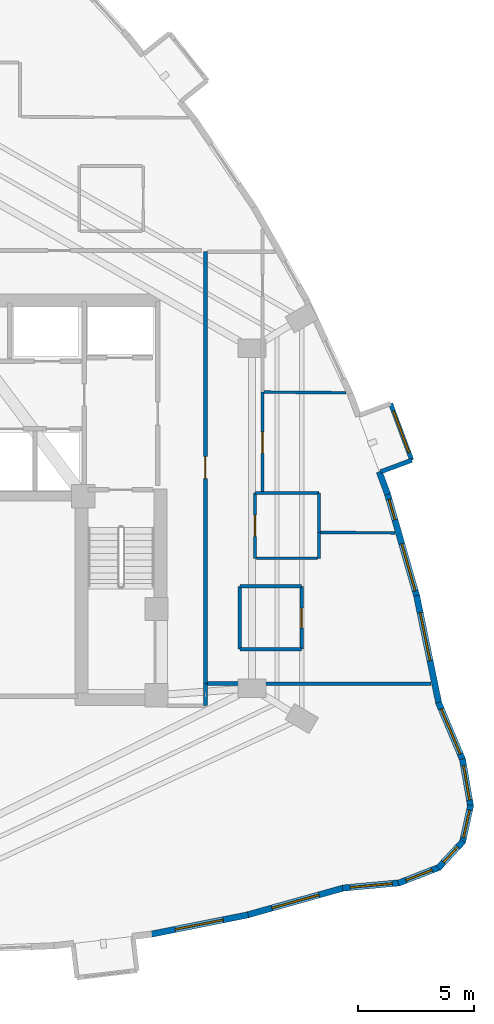
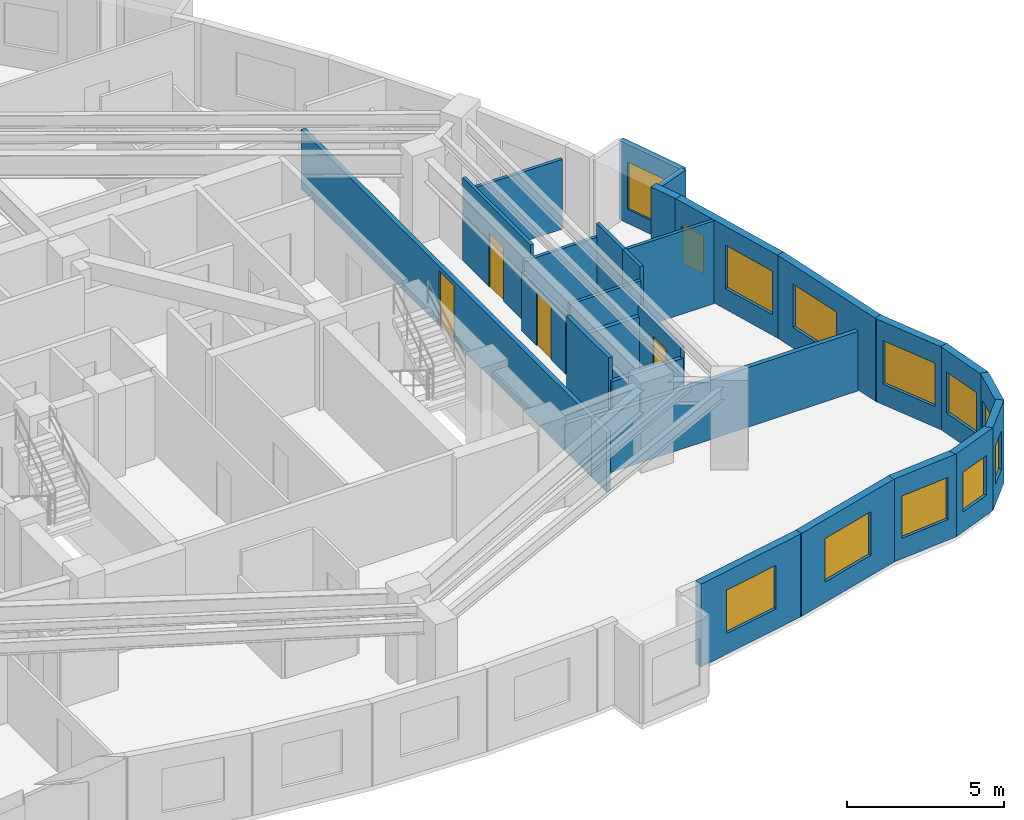
# One storey, part 11 of 14: 28 walls, 12 windows, 4 doors, 16 openings.
"""IFC4 building model written with IfcOpenShell, lengths in metres."""

from ifc_helpers import new_model, si_unit, direction, frame, frame_2d, origin, place, context, subcontext, project, spatial, rectangle, extrude, material, layer, layer_set, type_object, element, fill, save


model = new_model("IFC4")

# Units and contexts
model_context = context("Model", 3, precision=1e-05, world=origin(), true_north=direction((0.0, 1.0)))
body_context = subcontext(model_context, "Body", "Model", "MODEL_VIEW")
ifc_project = project(units=[si_unit("LENGTHUNIT", "METRE"), si_unit("AREAUNIT", "SQUARE_METRE"), si_unit("VOLUMEUNIT", "CUBIC_METRE"), si_unit("PLANEANGLEUNIT", "RADIAN"), si_unit("MASSUNIT", "GRAM", prefix="KILO")], contexts=[model_context])

# Site, building, storey
site_placement = place(None, origin())
site = spatial("IfcSite", under=ifc_project, at=site_placement, CompositionType="ELEMENT")
building_placement = place(site_placement, origin())
building = spatial("IfcBuilding", under=site, at=building_placement, Name="Miruveldt Soraemaru", CompositionType="ELEMENT")
storey_placement = place(building_placement, frame((0.0, 0.0, 117.89990234375)))
storey = spatial("IfcBuildingStorey", under=building, at=storey_placement, Name="L32", CompositionType="ELEMENT", Elevation=117.89990234375)

# Wall
ifc_material_1 = material(Name="White powder-coated aluminium EN AW-6060 T6", Category="aluminium")
ifc_layer_1 = layer(ifc_material_1, 0.18994140625, Name="White powder-coated aluminium EN AW-6060 T6", Category="aluminium")
ifc_layer_set_1 = layer_set([ifc_layer_1], Name="White powder-coated aluminium EN AW-6060 T6")
wall_type_1 = type_object("IfcWallType", Name="WALL-BAY-ALU190", PredefinedType="SOLIDWALL", material=ifc_layer_set_1)
wall_1_placement = place(storey_placement, frame((62.12939453125, 45.095703125, 0.0), z_axis=(0.0, 0.0, 1.0), x_axis=(0.937052436614, 0.349188675411, 0.0)))
element("IfcWall", 1, at=wall_1_placement, inside=storey, type_object=wall_type_1, Name="L32 Bay Window Side Cheek 3L", PredefinedType="SOLIDWALL", context=body_context, shape_type="SweptSolid", body=[
    extrude(rectangle(XDim=1.4248046875, YDim=0.18994140625, at=frame_2d((0.71240234375, 0.0))), origin(), (0.0, 0.0, 1.0), 3.085205078125),
])

# Wall, opening, window
wall_2_placement = place(storey_placement, frame((63.464599609375, 45.59326171875, 0.0), z_axis=(0.0, 0.0, 1.0), x_axis=(-0.349054047709, 0.937102594051, 0.0)))
wall_2 = element("IfcWall", 2, at=wall_2_placement, inside=storey, type_object=wall_type_1, Name="L32 Bay Window Front Frame 3", PredefinedType="SOLIDWALL", context=body_context, shape_type="SweptSolid", body=[
    extrude(rectangle(XDim=2.599853515625, YDim=0.18994140625, at=frame_2d((1.2998046875, 0.0))), origin(), (0.0, 0.0, 1.0), 3.085205078125),
])
opening_1_placement = place(wall_2_placement, frame((0.35009765625, 0.0, 0.550048828125)))
opening_1 = element("IfcOpeningElement", 3, at=opening_1_placement, cuts=wall_2, Name="Opening WN-6", PredefinedType="OPENING", context=body_context, shape_type="SweptSolid", body=[
    extrude(rectangle(XDim=1.89990234375, YDim=1.85009765625, at=frame_2d((0.949951171875, 0.925048828125))), frame((0.0, 0.10498046875, 0.0), z_axis=(0.0, -1.0, 0.0), x_axis=(1.0, 0.0, 0.0)), (0.0, 0.0, 1.0), 0.2099609375),
])
ifc_material_2 = material(Name="Triple low-e insulated glazing", Category="glass")
window_type_1 = type_object("IfcWindowType", Name="WIN-BAYW-1900x1850", PartitioningType="SINGLE_PANEL", PredefinedType="WINDOW", material=ifc_material_2)
window_1_placement = place(opening_1_placement, origin())
window_1 = element("IfcWindow", 4, at=window_1_placement, inside=storey, type_object=window_type_1, Name="L32 Projecting Bay Window 3", OverallHeight=1.85009765625, OverallWidth=1.89990234375, PartitioningType="SINGLE_PANEL", PredefinedType="WINDOW", context=body_context, shape_type="SweptSolid", body=[
    extrude(rectangle(XDim=1.89990234375, YDim=1.85009765625, at=frame_2d((0.949951171875, 0.925048828125))), frame((0.0, 0.030029296875, 0.0), z_axis=(0.0, -1.0, 0.0), x_axis=(1.0, 0.0, 0.0)), (0.0, 0.0, 1.0), 0.06005859375),
])
fill(opening_1, window_1)

ifc_material_3 = material(Name="Precast concrete C45/55 (45 MPa)", Category="concrete")
ifc_layer_2 = layer(ifc_material_3, 0.27001953125, Name="Precast concrete C45/55 (45 MPa)", Category="concrete")
ifc_layer_set_2 = layer_set([ifc_layer_2], Name="Precast concrete C45/55 (45 MPa)")
wall_type_2 = type_object("IfcWallType", Name="WALL-EXT-PC270", PredefinedType="SOLIDWALL", material=ifc_layer_set_2)
wall_3_placement = place(storey_placement, frame((52.231689453125, 25.22509765625, 0.0), z_axis=(0.0, 0.0, 1.0), x_axis=(0.980580675691, 0.196116135138, 0.0)))
wall_3 = element("IfcWall", 5, at=wall_3_placement, inside=storey, type_object=wall_type_2, Name="L32 Precast Concrete Facade Wall 27", PredefinedType="SOLIDWALL", context=body_context, shape_type="SweptSolid", body=[
    extrude(rectangle(XDim=4.284912109375, YDim=0.27001953125, at=frame_2d((2.142578125, 0.0))), origin(), (0.0, 0.0, 1.0), 3.235107421875),
])
opening_2_placement = place(wall_3_placement, frame((1.093017578125, 0.0, 0.800048828125)))
opening_2 = element("IfcOpeningElement", 6, at=opening_2_placement, cuts=wall_3, Name="Opening WN-1", PredefinedType="OPENING", context=body_context, shape_type="SweptSolid", body=[
    extrude(rectangle(XDim=2.10009765625, YDim=1.699951171875, at=frame_2d((1.050048828125, 0.85009765625))), frame((0.0, 0.14501953125, 0.0), z_axis=(0.0, -1.0, 0.0), x_axis=(1.0, 0.0, 0.0)), (0.0, 0.0, 1.0), 0.2900390625),
])
window_type_2 = type_object("IfcWindowType", Name="WIN-PUNCH-2100x1700", PartitioningType="SINGLE_PANEL", PredefinedType="WINDOW", material=ifc_material_2)
window_2_placement = place(opening_2_placement, origin())
window_2 = element("IfcWindow", 7, at=window_2_placement, inside=storey, type_object=window_type_2, Name="L32 Punched Triple-Glazed Window 27.1", OverallHeight=1.699951171875, OverallWidth=2.10009765625, PartitioningType="SINGLE_PANEL", PredefinedType="WINDOW", context=body_context, shape_type="SweptSolid", body=[
    extrude(rectangle(XDim=2.10009765625, YDim=1.699951171875, at=frame_2d((1.050048828125, 0.85009765625))), frame((0.0, 0.030029296875, 0.0), z_axis=(0.0, -1.0, 0.0), x_axis=(1.0, 0.0, 0.0)), (0.0, 0.0, 1.0), 0.06005859375),
])
fill(opening_2, window_2)

wall_4_placement = place(storey_placement, frame((56.365478515625, 26.04931640625, 0.0), z_axis=(0.0, 0.0, 1.0), x_axis=(0.962969832435, 0.269609164943, 0.0)))
wall_4 = element("IfcWall", 8, at=wall_4_placement, inside=storey, type_object=wall_type_2, Name="L32 Precast Concrete Facade Wall 28", PredefinedType="SOLIDWALL", context=body_context, shape_type="SweptSolid", body=[
    extrude(rectangle(XDim=4.362060546875, YDim=0.27001953125, at=frame_2d((2.18115234375, 0.0))), origin(), (0.0, 0.0, 1.0), 3.235107421875),
])
opening_3_placement = place(wall_4_placement, frame((1.131103515625, 0.0, 0.800048828125)))
opening_3 = element("IfcOpeningElement", 9, at=opening_3_placement, cuts=wall_4, Name="Opening WN-1", PredefinedType="OPENING", context=body_context, shape_type="SweptSolid", body=[
    extrude(rectangle(XDim=2.10009765625, YDim=1.699951171875, at=frame_2d((1.050048828125, 0.85009765625))), frame((0.0, 0.14501953125, 0.0), z_axis=(0.0, -1.0, 0.0), x_axis=(1.0, 0.0, 0.0)), (0.0, 0.0, 1.0), 0.2900390625),
])
window_3_placement = place(opening_3_placement, origin())
window_3 = element("IfcWindow", 10, at=window_3_placement, inside=storey, type_object=window_type_2, Name="L32 Punched Triple-Glazed Window 28.1", OverallHeight=1.699951171875, OverallWidth=2.10009765625, PartitioningType="SINGLE_PANEL", PredefinedType="WINDOW", context=body_context, shape_type="SweptSolid", body=[
    extrude(rectangle(XDim=2.10009765625, YDim=1.699951171875, at=frame_2d((1.050048828125, 0.85009765625))), frame((0.0, 0.030029296875, 0.0), z_axis=(0.0, -1.0, 0.0), x_axis=(1.0, 0.0, 0.0)), (0.0, 0.0, 1.0), 0.06005859375),
])
fill(opening_3, window_3)

wall_5_placement = place(storey_placement, frame((60.497314453125, 27.212646484375, 0.0), z_axis=(0.0, 0.0, 1.0), x_axis=(0.995759153727, 0.091998411779, 0.0)))
wall_5 = element("IfcWall", 11, at=wall_5_placement, inside=storey, type_object=wall_type_2, Name="L32 Precast Concrete Facade Wall 29", PredefinedType="SOLIDWALL", context=body_context, shape_type="SweptSolid", body=[
    extrude(rectangle(XDim=2.468017578125, YDim=0.27001953125, at=frame_2d((1.23388671875, 0.0))), origin(), (0.0, 0.0, 1.0), 3.235107421875),
])
opening_4_placement = place(wall_5_placement, frame((0.333984375, 0.0, 0.800048828125)))
opening_4 = element("IfcOpeningElement", 12, at=opening_4_placement, cuts=wall_5, Name="Opening WN-2", PredefinedType="OPENING", context=body_context, shape_type="SweptSolid", body=[
    extrude(rectangle(XDim=1.800048828125, YDim=1.64990234375, at=frame_2d((0.89990234375, 0.824951171875))), frame((0.0, 0.14501953125, 0.0), z_axis=(0.0, -1.0, 0.0), x_axis=(1.0, 0.0, 0.0)), (0.0, 0.0, 1.0), 0.2900390625),
])
window_type_3 = type_object("IfcWindowType", Name="WIN-PUNCH-1800x1650", PartitioningType="SINGLE_PANEL", PredefinedType="WINDOW", material=ifc_material_2)
window_4_placement = place(opening_4_placement, origin())
window_4 = element("IfcWindow", 13, at=window_4_placement, inside=storey, type_object=window_type_3, Name="L32 Punched Triple-Glazed Window 29.1", OverallHeight=1.64990234375, OverallWidth=1.800048828125, PartitioningType="SINGLE_PANEL", PredefinedType="WINDOW", context=body_context, shape_type="SweptSolid", body=[
    extrude(rectangle(XDim=1.800048828125, YDim=1.64990234375, at=frame_2d((0.89990234375, 0.824951171875))), frame((0.0, 0.030029296875, 0.0), z_axis=(0.0, -1.0, 0.0), x_axis=(1.0, 0.0, 0.0)), (0.0, 0.0, 1.0), 0.06005859375),
])
fill(opening_4, window_4)

wall_6_placement = place(storey_placement, frame((62.887451171875, 27.423583984375, 0.0), z_axis=(0.0, 0.0, 1.0), x_axis=(0.932248087426, 0.361819711306, 0.0)))
wall_6 = element("IfcWall", 14, at=wall_6_placement, inside=storey, type_object=wall_type_2, Name="L32 Precast Concrete Facade Wall 30", PredefinedType="SOLIDWALL", context=body_context, shape_type="SweptSolid", body=[
    extrude(rectangle(XDim=1.8994140625, YDim=0.27001953125, at=frame_2d((0.94970703125, 0.0))), origin(), (0.0, 0.0, 1.0), 3.235107421875),
])
opening_5_placement = place(wall_6_placement, frame((0.35009765625, 0.0, 0.780029296875)))
opening_5 = element("IfcOpeningElement", 15, at=opening_5_placement, cuts=wall_6, Name="Opening WN-4", PredefinedType="OPENING", context=body_context, shape_type="SweptSolid", body=[
    extrude(rectangle(XDim=1.199951171875, YDim=1.550048828125, at=frame_2d((0.60009765625, 0.77490234375))), frame((0.0, 0.14501953125, 0.0), z_axis=(0.0, -1.0, 0.0), x_axis=(1.0, 0.0, 0.0)), (0.0, 0.0, 1.0), 0.2900390625),
])
window_type_4 = type_object("IfcWindowType", Name="WIN-PUNCH-1200x1550", PartitioningType="SINGLE_PANEL", PredefinedType="WINDOW", material=ifc_material_2)
window_5_placement = place(opening_5_placement, origin())
window_5 = element("IfcWindow", 16, at=window_5_placement, inside=storey, type_object=window_type_4, Name="L32 Punched Triple-Glazed Window 30.1", OverallHeight=1.550048828125, OverallWidth=1.199951171875, PartitioningType="SINGLE_PANEL", PredefinedType="WINDOW", context=body_context, shape_type="SweptSolid", body=[
    extrude(rectangle(XDim=1.199951171875, YDim=1.550048828125, at=frame_2d((0.60009765625, 0.77490234375))), frame((0.0, 0.030029296875, 0.0), z_axis=(0.0, -1.0, 0.0), x_axis=(1.0, 0.0, 0.0)), (0.0, 0.0, 1.0), 0.06005859375),
])
fill(opening_5, window_5)

wall_7_placement = place(storey_placement, frame((64.601806640625, 28.072509765625, 0.0), z_axis=(0.0, 0.0, 1.0), x_axis=(0.680094167745, 0.733124766325, 0.0)))
wall_7 = element("IfcWall", 17, at=wall_7_placement, inside=storey, type_object=wall_type_2, Name="L32 Precast Concrete Facade Wall 31", PredefinedType="SOLIDWALL", context=body_context, shape_type="SweptSolid", body=[
    extrude(rectangle(XDim=1.574462890625, YDim=0.27001953125, at=frame_2d((0.787109375, 0.0))), origin(), (0.0, 0.0, 1.0), 3.235107421875),
])
opening_6_placement = place(wall_7_placement, frame((0.3369140625, 0.0, 0.780029296875)))
opening_6 = element("IfcOpeningElement", 18, at=opening_6_placement, cuts=wall_7, Name="Opening WN-7", PredefinedType="OPENING", context=body_context, shape_type="SweptSolid", body=[
    extrude(rectangle(XDim=0.89990234375, YDim=1.5, at=frame_2d((0.449951171875, 0.75))), frame((0.0, 0.14501953125, 0.0), z_axis=(0.0, -1.0, 0.0), x_axis=(1.0, 0.0, 0.0)), (0.0, 0.0, 1.0), 0.2900390625),
])
window_type_5 = type_object("IfcWindowType", Name="WIN-PUNCH-900x1500", PartitioningType="SINGLE_PANEL", PredefinedType="WINDOW", material=ifc_material_2)
window_6_placement = place(opening_6_placement, origin())
window_6 = element("IfcWindow", 19, at=window_6_placement, inside=storey, type_object=window_type_5, Name="L32 Punched Triple-Glazed Window 31.1", OverallHeight=1.5, OverallWidth=0.89990234375, PartitioningType="SINGLE_PANEL", PredefinedType="WINDOW", context=body_context, shape_type="SweptSolid", body=[
    extrude(rectangle(XDim=0.89990234375, YDim=1.5, at=frame_2d((0.449951171875, 0.75))), frame((0.0, 0.030029296875, 0.0), z_axis=(0.0, -1.0, 0.0), x_axis=(1.0, 0.0, 0.0)), (0.0, 0.0, 1.0), 0.06005859375),
])
fill(opening_6, window_6)

wall_8_placement = place(storey_placement, frame((65.641357421875, 29.1669921875, 0.0), z_axis=(0.0, 0.0, 1.0), x_axis=(0.215865785232, 0.976423044979, 0.0)))
wall_8 = element("IfcWall", 20, at=wall_8_placement, inside=storey, type_object=wall_type_2, Name="L32 Precast Concrete Facade Wall 32", PredefinedType="SOLIDWALL", context=body_context, shape_type="SweptSolid", body=[
    extrude(rectangle(XDim=1.651123046875, YDim=0.27001953125, at=frame_2d((0.82568359375, 0.0))), origin(), (0.0, 0.0, 1.0), 3.235107421875),
])
opening_7_placement = place(wall_8_placement, frame((0.22607421875, 0.0, 0.780029296875)))
opening_7 = element("IfcOpeningElement", 21, at=opening_7_placement, cuts=wall_8, Name="Opening WN-4", PredefinedType="OPENING", context=body_context, shape_type="SweptSolid", body=[
    extrude(rectangle(XDim=1.199951171875, YDim=1.550048828125, at=frame_2d((0.60009765625, 0.77490234375))), frame((0.0, 0.14501953125, 0.0), z_axis=(0.0, -1.0, 0.0), x_axis=(1.0, 0.0, 0.0)), (0.0, 0.0, 1.0), 0.2900390625),
])
window_7_placement = place(opening_7_placement, origin())
window_7 = element("IfcWindow", 22, at=window_7_placement, inside=storey, type_object=window_type_4, Name="L32 Punched Triple-Glazed Window 32.1", OverallHeight=1.550048828125, OverallWidth=1.199951171875, PartitioningType="SINGLE_PANEL", PredefinedType="WINDOW", context=body_context, shape_type="SweptSolid", body=[
    extrude(rectangle(XDim=1.199951171875, YDim=1.550048828125, at=frame_2d((0.60009765625, 0.77490234375))), frame((0.0, 0.030029296875, 0.0), z_axis=(0.0, -1.0, 0.0), x_axis=(1.0, 0.0, 0.0)), (0.0, 0.0, 1.0), 0.06005859375),
])
fill(opening_7, window_7)

wall_9_placement = place(storey_placement, frame((65.99609375, 30.710693359375, 0.0), z_axis=(0.0, 0.0, 1.0), x_axis=(-0.16937343878, 0.985551945986, 0.0)))
wall_9 = element("IfcWall", 23, at=wall_9_placement, inside=storey, type_object=wall_type_2, Name="L32 Precast Concrete Facade Wall 33", PredefinedType="SOLIDWALL", context=body_context, shape_type="SweptSolid", body=[
    extrude(rectangle(XDim=2.084228515625, YDim=0.27001953125, at=frame_2d((1.0419921875, 0.0))), origin(), (0.0, 0.0, 1.0), 3.235107421875),
])
opening_8_placement = place(wall_9_placement, frame((0.2919921875, 0.0, 0.800048828125)))
opening_8 = element("IfcOpeningElement", 24, at=opening_8_placement, cuts=wall_9, Name="Opening WN-3", PredefinedType="OPENING", context=body_context, shape_type="SweptSolid", body=[
    extrude(rectangle(XDim=1.5, YDim=1.60009765625, at=frame_2d((0.75, 0.800048828125))), frame((0.0, 0.14501953125, 0.0), z_axis=(0.0, -1.0, 0.0), x_axis=(1.0, 0.0, 0.0)), (0.0, 0.0, 1.0), 0.2900390625),
])
window_type_6 = type_object("IfcWindowType", Name="WIN-PUNCH-1500x1600", PartitioningType="SINGLE_PANEL", PredefinedType="WINDOW", material=ifc_material_2)
window_8_placement = place(opening_8_placement, origin())
window_8 = element("IfcWindow", 25, at=window_8_placement, inside=storey, type_object=window_type_6, Name="L32 Punched Triple-Glazed Window 33.1", OverallHeight=1.60009765625, OverallWidth=1.5, PartitioningType="SINGLE_PANEL", PredefinedType="WINDOW", context=body_context, shape_type="SweptSolid", body=[
    extrude(rectangle(XDim=1.5, YDim=1.60009765625, at=frame_2d((0.75, 0.800048828125))), frame((0.0, 0.030029296875, 0.0), z_axis=(0.0, -1.0, 0.0), x_axis=(1.0, 0.0, 0.0)), (0.0, 0.0, 1.0), 0.06005859375),
])
fill(opening_8, window_8)

wall_10_placement = place(storey_placement, frame((65.66259765625, 32.6982421875, 0.0), z_axis=(0.0, 0.0, 1.0), x_axis=(-0.388626230433, 0.921395492185, 0.0)))
wall_10 = element("IfcWall", 26, at=wall_10_placement, inside=storey, type_object=wall_type_2, Name="L32 Precast Concrete Facade Wall 34", PredefinedType="SOLIDWALL", context=body_context, shape_type="SweptSolid", body=[
    extrude(rectangle(XDim=2.703125, YDim=0.27001953125, at=frame_2d((1.3515625, 0.0))), origin(), (0.0, 0.0, 1.0), 3.235107421875),
])
opening_9_placement = place(wall_10_placement, frame((0.302001953125, 0.0, 0.800048828125)))
opening_9 = element("IfcOpeningElement", 27, at=opening_9_placement, cuts=wall_10, Name="Opening WN-1", PredefinedType="OPENING", context=body_context, shape_type="SweptSolid", body=[
    extrude(rectangle(XDim=2.10009765625, YDim=1.699951171875, at=frame_2d((1.050048828125, 0.85009765625))), frame((0.0, 0.14501953125, 0.0), z_axis=(0.0, -1.0, 0.0), x_axis=(1.0, 0.0, 0.0)), (0.0, 0.0, 1.0), 0.2900390625),
])
window_9_placement = place(opening_9_placement, origin())
window_9 = element("IfcWindow", 28, at=window_9_placement, inside=storey, type_object=window_type_2, Name="L32 Punched Triple-Glazed Window 34.1", OverallHeight=1.699951171875, OverallWidth=2.10009765625, PartitioningType="SINGLE_PANEL", PredefinedType="WINDOW", context=body_context, shape_type="SweptSolid", body=[
    extrude(rectangle(XDim=2.10009765625, YDim=1.699951171875, at=frame_2d((1.050048828125, 0.85009765625))), frame((0.0, 0.030029296875, 0.0), z_axis=(0.0, -1.0, 0.0), x_axis=(1.0, 0.0, 0.0)), (0.0, 0.0, 1.0), 0.06005859375),
])
fill(opening_9, window_9)

wall_11_placement = place(storey_placement, frame((64.6328125, 35.12255859375, 0.0), z_axis=(0.0, 0.0, 1.0), x_axis=(-0.201634082023, 0.979460921613, 0.0)))
wall_11 = element("IfcWall", 29, at=wall_11_placement, inside=storey, type_object=wall_type_2, Name="L32 Precast Concrete Facade Wall 35", PredefinedType="SOLIDWALL", context=body_context, shape_type="SweptSolid", body=[
    extrude(rectangle(XDim=4.753662109375, YDim=0.27001953125, at=frame_2d((2.376953125, 0.0))), origin(), (0.0, 0.0, 1.0), 3.235107421875),
])
opening_10_placement = place(wall_11_placement, frame((1.903076171875, 0.0, 0.800048828125)))
opening_10 = element("IfcOpeningElement", 30, at=opening_10_placement, cuts=wall_11, Name="Opening WN-1", PredefinedType="OPENING", context=body_context, shape_type="SweptSolid", body=[
    extrude(rectangle(XDim=2.10009765625, YDim=1.699951171875, at=frame_2d((1.050048828125, 0.85009765625))), frame((0.0, 0.14501953125, 0.0), z_axis=(0.0, -1.0, 0.0), x_axis=(1.0, 0.0, 0.0)), (0.0, 0.0, 1.0), 0.2900390625),
])
window_10_placement = place(opening_10_placement, origin())
window_10 = element("IfcWindow", 31, at=window_10_placement, inside=storey, type_object=window_type_2, Name="L32 Punched Triple-Glazed Window 35.1", OverallHeight=1.699951171875, OverallWidth=2.10009765625, PartitioningType="SINGLE_PANEL", PredefinedType="WINDOW", context=body_context, shape_type="SweptSolid", body=[
    extrude(rectangle(XDim=2.10009765625, YDim=1.699951171875, at=frame_2d((1.050048828125, 0.85009765625))), frame((0.0, 0.030029296875, 0.0), z_axis=(0.0, -1.0, 0.0), x_axis=(1.0, 0.0, 0.0)), (0.0, 0.0, 1.0), 0.06005859375),
])
fill(opening_10, window_10)

# Wall, openings, windows
wall_12_placement = place(storey_placement, frame((63.691162109375, 39.71044921875, 0.0), z_axis=(0.0, 0.0, 1.0), x_axis=(-0.274948989089, 0.961458815238, 0.0)))
wall_12 = element("IfcWall", 32, at=wall_12_placement, inside=storey, type_object=wall_type_2, Name="L32 Precast Concrete Facade Wall 36", PredefinedType="SOLIDWALL", context=body_context, shape_type="SweptSolid", body=[
    extrude(rectangle(XDim=4.669677734375, YDim=0.27001953125, at=frame_2d((2.3349609375, 0.0))), origin(), (0.0, 0.0, 1.0), 3.235107421875),
])
opening_11_placement = place(wall_12_placement, frame((0.2880859375, 0.0, 0.800048828125)))
opening_11 = element("IfcOpeningElement", 33, at=opening_11_placement, cuts=wall_12, Name="Opening WN-1", PredefinedType="OPENING", context=body_context, shape_type="SweptSolid", body=[
    extrude(rectangle(XDim=2.10009765625, YDim=1.699951171875, at=frame_2d((1.050048828125, 0.85009765625))), frame((0.0, 0.14501953125, 0.0), z_axis=(0.0, -1.0, 0.0), x_axis=(1.0, 0.0, 0.0)), (0.0, 0.0, 1.0), 0.2900390625),
])
opening_12_placement = place(wall_12_placement, frame((3.462890625, 0.0, 0.780029296875)))
opening_12 = element("IfcOpeningElement", 34, at=opening_12_placement, cuts=wall_12, Name="Opening WN-7", PredefinedType="OPENING", context=body_context, shape_type="SweptSolid", body=[
    extrude(rectangle(XDim=0.89990234375, YDim=1.5, at=frame_2d((0.449951171875, 0.75))), frame((0.0, 0.14501953125, 0.0), z_axis=(0.0, -1.0, 0.0), x_axis=(1.0, 0.0, 0.0)), (0.0, 0.0, 1.0), 0.2900390625),
])
window_11_placement = place(opening_11_placement, origin())
window_11 = element("IfcWindow", 35, at=window_11_placement, inside=storey, type_object=window_type_2, Name="L32 Punched Triple-Glazed Window 36.1", OverallHeight=1.699951171875, OverallWidth=2.10009765625, PartitioningType="SINGLE_PANEL", PredefinedType="WINDOW", context=body_context, shape_type="SweptSolid", body=[
    extrude(rectangle(XDim=2.10009765625, YDim=1.699951171875, at=frame_2d((1.050048828125, 0.85009765625))), frame((0.0, 0.030029296875, 0.0), z_axis=(0.0, -1.0, 0.0), x_axis=(1.0, 0.0, 0.0)), (0.0, 0.0, 1.0), 0.06005859375),
])
fill(opening_11, window_11)
window_12_placement = place(opening_12_placement, origin())
window_12 = element("IfcWindow", 36, at=window_12_placement, inside=storey, type_object=window_type_5, Name="L32 Punched Triple-Glazed Window 36.2", OverallHeight=1.5, OverallWidth=0.89990234375, PartitioningType="SINGLE_PANEL", PredefinedType="WINDOW", context=body_context, shape_type="SweptSolid", body=[
    extrude(rectangle(XDim=0.89990234375, YDim=1.5, at=frame_2d((0.449951171875, 0.75))), frame((0.0, 0.030029296875, 0.0), z_axis=(0.0, -1.0, 0.0), x_axis=(1.0, 0.0, 0.0)), (0.0, 0.0, 1.0), 0.06005859375),
])
fill(opening_12, window_12)

# Wall
wall_13_placement = place(storey_placement, frame((62.428955078125, 44.133544921875, 0.0), z_axis=(0.0, 0.0, 1.0), x_axis=(-0.348902141636, 0.937159162342, 0.0)))
element("IfcWall", 37, at=wall_13_placement, inside=storey, type_object=wall_type_2, Name="L32 Precast Pier Wall 37A", PredefinedType="SOLIDWALL", context=body_context, shape_type="SweptSolid", body=[
    extrude(rectangle(XDim=1.036376953125, YDim=0.27001953125, at=frame_2d((0.51806640625, 0.0))), origin(), (0.0, 0.0, 1.0), 3.235107421875),
])

# Wall, opening, door
ifc_material_4 = material(Name="Gypsum plasterboard lining", Category="gypsum")
ifc_layer_3 = layer(ifc_material_4, 0.1201171875, Name="Gypsum plasterboard lining", Category="gypsum")
ifc_layer_set_3 = layer_set([ifc_layer_3], Name="Gypsum plasterboard lining")
wall_type_3 = type_object("IfcWallType", Name="WALL-INT-P120", PredefinedType="PARTITIONING", material=ifc_layer_set_3)
wall_14_placement = place(storey_placement, frame((57.050048828125, 44.179931640625, 0.0), z_axis=(0.0, 0.0, 1.0), x_axis=(0.0, 1.0, 0.0)))
wall_14 = element("IfcWall", 38, at=wall_14_placement, inside=storey, type_object=wall_type_3, Name="L32 Partition Wall 58", PredefinedType="PARTITIONING", context=body_context, shape_type="SweptSolid", body=[
    extrude(rectangle(XDim=4.341064453125, YDim=0.1201171875, at=frame_2d((2.17041015625, 0.0))), origin(), (0.0, 0.0, 1.0), 3.235107421875),
])
opening_13_placement = place(wall_14_placement, frame((1.7109375, 0.0, 0.0)))
opening_13 = element("IfcOpeningElement", 39, at=opening_13_placement, cuts=wall_14, Name="Opening D3A", PredefinedType="OPENING", context=body_context, shape_type="SweptSolid", body=[
    extrude(rectangle(XDim=0.919921875, YDim=2.10009765625, at=frame_2d((0.4599609375, 1.050048828125))), frame((0.0, 0.070068359375, 0.0), z_axis=(0.0, -1.0, 0.0), x_axis=(1.0, 0.0, 0.0)), (0.0, 0.0, 1.0), 0.14013671875),
])
ifc_material_5 = material(Name="Anodised aluminium EN AW-6063 T6", Category="aluminium")
door_type_1 = type_object("IfcDoorType", Name="DOOR-INT-920", OperationType="NOTDEFINED", PredefinedType="DOOR", material=ifc_material_5)
door_1_placement = place(opening_13_placement, origin())
door_1 = element("IfcDoor", 40, at=door_1_placement, inside=storey, type_object=door_type_1, Name="L32 Unit 3204 BD1 Door", OperationType="SINGLE_SWING_RIGHT", OverallHeight=2.10009765625, OverallWidth=0.919921875, PredefinedType="DOOR", context=body_context, shape_type="SweptSolid", body=[
    extrude(rectangle(XDim=0.919921875, YDim=2.10009765625, at=frame_2d((0.4599609375, 1.050048828125))), frame((0.0, 0.02490234375, 0.0), z_axis=(0.0, -1.0, 0.0), x_axis=(1.0, 0.0, 0.0)), (0.0, 0.0, 1.0), 0.050048828125),
])
fill(opening_13, door_1)

wall_15_placement = place(storey_placement, frame((56.72998046875, 44.179931640625, 0.0), z_axis=(0.0, 0.0, 1.0), x_axis=(0.0, -1.0, 0.0)))
wall_15 = element("IfcWall", 41, at=wall_15_placement, inside=storey, type_object=wall_type_3, Name="L32 Partition Wall 55", PredefinedType="PARTITIONING", context=body_context, shape_type="SweptSolid", body=[
    extrude(rectangle(XDim=2.800048828125, YDim=0.1201171875, at=frame_2d((1.39990234375, 0.0))), origin(), (0.0, 0.0, 1.0), 2.322998046875),
])
opening_14_placement = place(wall_15_placement, frame((0.93994140625, 0.0, 0.0)))
opening_14 = element("IfcOpeningElement", 42, at=opening_14_placement, cuts=wall_15, Name="Opening D3A", PredefinedType="OPENING", context=body_context, shape_type="SweptSolid", body=[
    extrude(rectangle(XDim=0.919921875, YDim=2.10009765625, at=frame_2d((0.4599609375, 1.050048828125))), frame((0.0, 0.070068359375, 0.0), z_axis=(0.0, -1.0, 0.0), x_axis=(1.0, 0.0, 0.0)), (0.0, 0.0, 1.0), 0.14013671875),
])
door_2_placement = place(opening_14_placement, origin())
door_2 = element("IfcDoor", 43, at=door_2_placement, inside=storey, type_object=door_type_1, Name="L32 Unit 3204 KIT Door", OperationType="SINGLE_SWING_LEFT", OverallHeight=2.10009765625, OverallWidth=0.919921875, PredefinedType="DOOR", context=body_context, shape_type="SweptSolid", body=[
    extrude(rectangle(XDim=0.919921875, YDim=2.10009765625, at=frame_2d((0.4599609375, 1.050048828125))), frame((0.0, 0.02490234375, 0.0), z_axis=(0.0, -1.0, 0.0), x_axis=(1.0, 0.0, 0.0)), (0.0, 0.0, 1.0), 0.050048828125),
])
fill(opening_14, door_2)

# Walls
wall_16_placement = place(storey_placement, frame((60.634033203125, 48.491943359375, 0.0), z_axis=(0.0, 0.0, 1.0), x_axis=(-0.999966016478, 0.008244142716, 0.0)))
element("IfcWall", 44, at=wall_16_placement, inside=storey, type_object=wall_type_3, Name="L32 Partition Wall 62", PredefinedType="PARTITIONING", context=body_context, shape_type="SweptSolid", body=[
    extrude(rectangle(XDim=3.52392578125, YDim=0.1201171875, at=frame_2d((1.761962890625, 0.0))), origin(), (0.0, 0.0, 1.0), 2.72314453125),
])
wall_17_placement = place(storey_placement, frame((62.7451171875, 42.472900390625, 0.0), z_axis=(0.0, 0.0, 1.0), x_axis=(-0.999982349762, 0.005941394217, 0.0)))
element("IfcWall", 45, at=wall_17_placement, inside=storey, type_object=wall_type_3, Name="L32 Partition Wall 57", PredefinedType="PARTITIONING", context=body_context, shape_type="SweptSolid", body=[
    extrude(rectangle(XDim=3.205078125, YDim=0.1201171875, at=frame_2d((1.6025390625, 0.0))), origin(), (0.0, 0.0, 1.0), 3.235107421875),
])
wall_18_placement = place(storey_placement, frame((59.47998046875, 44.179931640625, 0.0), z_axis=(0.0, 0.0, 1.0), x_axis=(-1.0, 0.0, 0.0)))
element("IfcWall", 46, at=wall_18_placement, inside=storey, type_object=wall_type_3, Name="L32 Partition Wall 71", PredefinedType="PARTITIONING", context=body_context, shape_type="SweptSolid", body=[
    extrude(rectangle(XDim=2.75, YDim=0.1201171875, at=frame_2d((1.375, 0.0))), origin(), (0.0, 0.0, 1.0), 2.72314453125),
])
wall_19_placement = place(storey_placement, frame((56.7900390625, 41.3798828125, 0.0), z_axis=(0.0, 0.0, 1.0), x_axis=(1.0, 0.0, 0.0)))
element("IfcWall", 47, at=wall_19_placement, inside=storey, type_object=wall_type_3, Name="L32 Partition Wall 56", PredefinedType="PARTITIONING", context=body_context, shape_type="SweptSolid", body=[
    extrude(rectangle(XDim=2.6298828125, YDim=0.1201171875, at=frame_2d((1.31494140625, 0.0))), origin(), (0.0, 0.0, 1.0), 2.72314453125),
])
wall_20_placement = place(storey_placement, frame((59.47998046875, 42.491943359375, 0.0), z_axis=(0.0, 0.0, 1.0), x_axis=(0.0, 1.0, 0.0)))
element("IfcWall", 48, at=wall_20_placement, inside=storey, type_object=wall_type_3, Name="L32 Partition Wall 61", PredefinedType="PARTITIONING", context=body_context, shape_type="SweptSolid", body=[
    extrude(rectangle(XDim=1.68798828125, YDim=0.1201171875, at=frame_2d((0.843994140625, 0.0))), origin(), (0.0, 0.0, 1.0), 3.235107421875),
])
wall_21_placement = place(storey_placement, frame((59.47998046875, 41.3798828125, 0.0), z_axis=(0.0, 0.0, 1.0), x_axis=(0.0, 1.0, 0.0)))
element("IfcWall", 49, at=wall_21_placement, inside=storey, type_object=wall_type_3, Name="L32 Partition Wall 54", PredefinedType="PARTITIONING", context=body_context, shape_type="SweptSolid", body=[
    extrude(rectangle(XDim=1.112060546875, YDim=0.1201171875, at=frame_2d((0.55615234375, 0.0))), origin(), (0.0, 0.0, 1.0), 3.235107421875),
])

# Wall, opening, door
ifc_layer_4 = layer(ifc_material_4, 0.14990234375, Name="Gypsum plasterboard lining", Category="gypsum")
ifc_layer_set_4 = layer_set([ifc_layer_4], Name="Gypsum plasterboard lining")
wall_type_4 = type_object("IfcWallType", Name="WALL-INT-PLUMB", PredefinedType="PLUMBINGWALL", material=ifc_layer_set_4)
wall_22_placement = place(storey_placement, frame((58.72998046875, 37.47998046875, 0.0), z_axis=(0.0, 0.0, 1.0), x_axis=(0.0, 1.0, 0.0)))
wall_22 = element("IfcWall", 50, at=wall_22_placement, inside=storey, type_object=wall_type_4, Name="L32 Partition Wall 50", PredefinedType="PLUMBINGWALL", context=body_context, shape_type="SweptSolid", body=[
    extrude(rectangle(XDim=2.699951171875, YDim=0.14990234375, at=frame_2d((1.35009765625, 0.0))), origin(), (0.0, 0.0, 1.0), 2.72314453125),
])
opening_15_placement = place(wall_22_placement, frame((0.909912109375, 0.0, 0.0)))
opening_15 = element("IfcOpeningElement", 51, at=opening_15_placement, cuts=wall_22, Name="Opening FD3", PredefinedType="OPENING", context=body_context, shape_type="SweptSolid", body=[
    extrude(rectangle(XDim=0.85009765625, YDim=2.10009765625, at=frame_2d((0.425048828125, 1.050048828125))), frame((0.0, 0.0849609375, 0.0), z_axis=(0.0, -1.0, 0.0), x_axis=(1.0, 0.0, 0.0)), (0.0, 0.0, 1.0), 0.169921875),
])
door_type_2 = type_object("IfcDoorType", Name="DOOR-FD3-850", OperationType="NOTDEFINED", PredefinedType="DOOR", material=ifc_material_5)
door_3_placement = place(opening_15_placement, origin())
door_3 = element("IfcDoor", 52, at=door_3_placement, inside=storey, type_object=door_type_2, Name="L32 Unit 3204 BTH Door", OperationType="SINGLE_SWING_RIGHT", OverallHeight=2.10009765625, OverallWidth=0.85009765625, PredefinedType="DOOR", context=body_context, shape_type="SweptSolid", body=[
    extrude(rectangle(XDim=0.85009765625, YDim=2.10009765625, at=frame_2d((0.425048828125, 1.050048828125))), frame((0.0, 0.02490234375, 0.0), z_axis=(0.0, -1.0, 0.0), x_axis=(1.0, 0.0, 0.0)), (0.0, 0.0, 1.0), 0.050048828125),
])
fill(opening_15, door_3)

# Walls
wall_23_placement = place(storey_placement, frame((56.080078125, 40.179931640625, 0.0), z_axis=(0.0, 0.0, 1.0), x_axis=(0.0, -1.0, 0.0)))
element("IfcWall", 53, at=wall_23_placement, inside=storey, type_object=wall_type_4, Name="L32 Partition Wall 52", PredefinedType="PLUMBINGWALL", context=body_context, shape_type="SweptSolid", body=[
    extrude(rectangle(XDim=2.699951171875, YDim=0.14990234375, at=frame_2d((1.35009765625, 0.0))), origin(), (0.0, 0.0, 1.0), 3.235107421875),
])
for number, where, z_axis, x_axis, name in (
    (54, (58.72998046875, 40.179931640625, 0.0), (0.0, 0.0, 1.0), (-1.0, 0.0, 0.0), "L32 Partition Wall 51"),
    (55, (56.080078125, 37.47998046875, 0.0), (0.0, 0.0, 1.0), (1.0, 0.0, 0.0), "L32 Partition Wall 53"),
):
    element("IfcWall", number, at=place(storey_placement, frame(where, z_axis=z_axis, x_axis=x_axis)), inside=storey, type_object=wall_type_4, Name=name, PredefinedType="PLUMBINGWALL", context=body_context, shape_type="SweptSolid", body=[
        extrude(rectangle(XDim=2.64990234375, YDim=0.14990234375, at=frame_2d((1.324951171875, 0.0))), origin(), (0.0, 0.0, 1.0), 2.322998046875),
    ])

# Wall, opening, door
ifc_material_6 = material(Name="Concrete C40/50 (40 MPa)", Category="concrete")
ifc_layer_5 = layer(ifc_material_6, 0.159912109375, Name="Concrete C40/50 (40 MPa)", Category="concrete")
ifc_layer_set_5 = layer_set([ifc_layer_5], Name="Concrete C40/50 (40 MPa)")
wall_type_5 = type_object("IfcWallType", Name="WALL-INT-RC160", PredefinedType="SOLIDWALL", material=ifc_layer_set_5)
wall_24_placement = place(storey_placement, frame((54.60009765625, 36.0, 0.0), z_axis=(0.0, 0.0, 1.0), x_axis=(0.0, 1.0, 0.0)))
wall_24 = element("IfcWall", 56, at=wall_24_placement, inside=storey, type_object=wall_type_5, Name="L32 Partition Wall 4", PredefinedType="SOLIDWALL", context=body_context, shape_type="SweptSolid", body=[
    extrude(rectangle(XDim=18.550048828125, YDim=0.159912109375, at=frame_2d((9.27490234375, 0.0))), origin(), (0.0, 0.0, 1.0), 2.322998046875),
])
opening_16_placement = place(wall_24_placement, frame((8.800048828125, 0.0, 0.0)))
opening_16 = element("IfcOpeningElement", 57, at=opening_16_placement, cuts=wall_24, Name="Opening FD2", PredefinedType="OPENING", context=body_context, shape_type="SweptSolid", body=[
    extrude(rectangle(XDim=0.949951171875, YDim=2.14990234375, at=frame_2d((0.47509765625, 1.074951171875))), frame((0.0, 0.08984375, 0.0), z_axis=(0.0, -1.0, 0.0), x_axis=(1.0, 0.0, 0.0)), (0.0, 0.0, 1.0), 0.179931640625),
])
door_type_3 = type_object("IfcDoorType", Name="DOOR-FD2-950", OperationType="NOTDEFINED", PredefinedType="DOOR", material=ifc_material_5)
door_4_placement = place(opening_16_placement, origin())
door_4 = element("IfcDoor", 58, at=door_4_placement, inside=storey, type_object=door_type_3, Name="L32 Unit 3204 Entrance Fire Door", OperationType="SINGLE_SWING_LEFT", OverallHeight=2.14990234375, OverallWidth=0.949951171875, PredefinedType="DOOR", context=body_context, shape_type="SweptSolid", body=[
    extrude(rectangle(XDim=0.949951171875, YDim=2.14990234375, at=frame_2d((0.47509765625, 1.074951171875))), frame((0.0, 0.02490234375, 0.0), z_axis=(0.0, -1.0, 0.0), x_axis=(1.0, 0.0, 0.0)), (0.0, 0.0, 1.0), 0.050048828125),
])
fill(opening_16, door_4)

# Walls
wall_25_placement = place(storey_placement, frame((54.68505859375, 36.0, 0.0), z_axis=(0.0, 0.0, 1.0), x_axis=(0.999999094836, -0.001345483791, 0.0)))
element("IfcWall", 59, at=wall_25_placement, inside=storey, type_object=wall_type_5, Name="L32 Partition Wall 60", PredefinedType="SOLIDWALL", context=body_context, shape_type="SweptSolid", body=[
    extrude(rectangle(XDim=9.616943359375, YDim=0.159912109375, at=frame_2d((4.80859375, 0.0))), origin(), (0.0, 0.0, 1.0), 2.322998046875),
])
wall_26_placement = place(storey_placement, frame((54.60009765625, 35.050048828125, 0.0), z_axis=(0.0, 0.0, 1.0), x_axis=(0.0, 1.0, 0.0)))
element("IfcWall", 60, at=wall_26_placement, inside=storey, type_object=wall_type_5, Name="L32 Partition Wall 9", PredefinedType="SOLIDWALL", context=body_context, shape_type="SweptSolid", body=[
    extrude(rectangle(XDim=0.945068359375, YDim=0.159912109375, at=frame_2d((0.47265625, 0.0))), origin(), (0.0, 0.0, 1.0), 2.322998046875),
])

save(model, "model.ifc")
